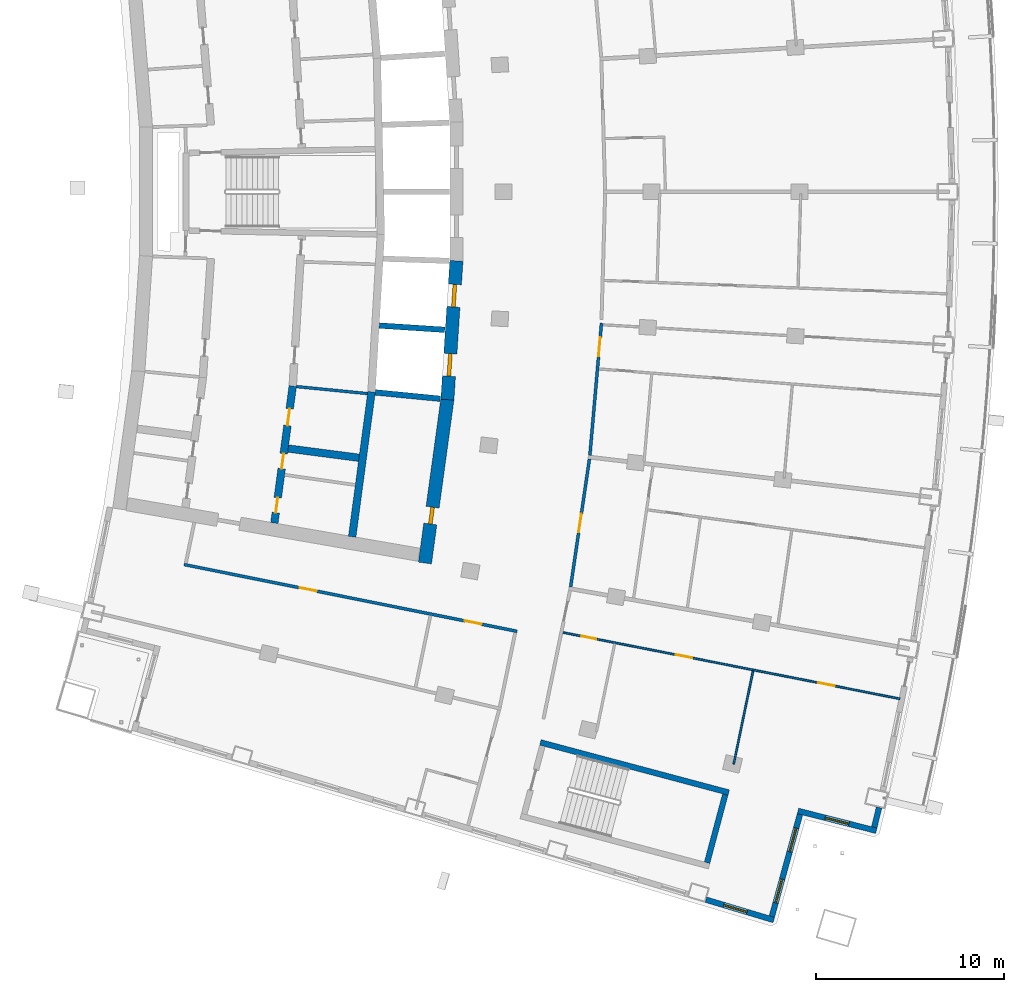
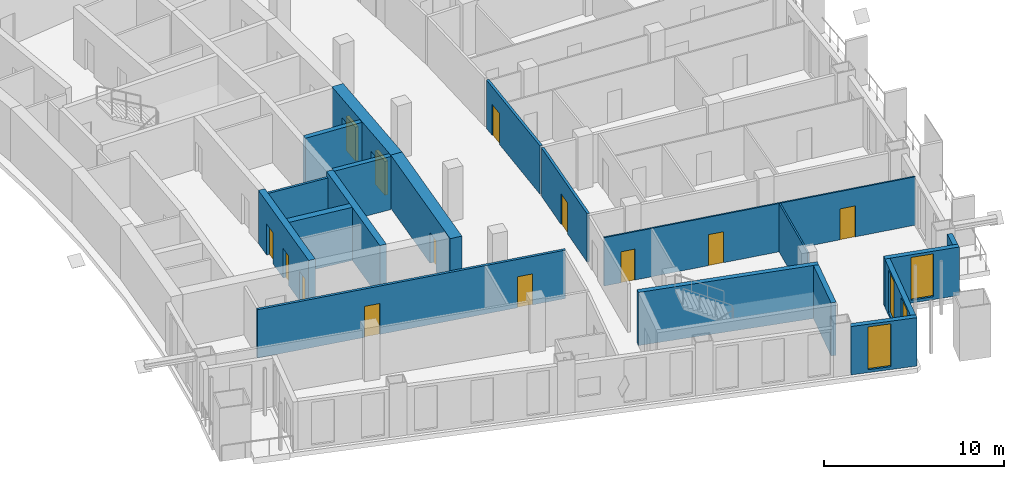
# One storey, part 11 of 20: 19 walls, 13 doors, 4 windows, 17 openings.
"""IFC4 building model written with IfcOpenShell, lengths in metres."""

from ifc_helpers import new_model, si_unit, direction, frame, frame_2d, origin, place, context, subcontext, project, spatial, rectangle, extrude, material, layer, layer_set, type_object, element, fill, save


model = new_model("IFC4")

# Units and contexts
model_context = context("Model", 3, precision=1e-05, world=origin(), true_north=direction((0.0, 1.0)))
body_context = subcontext(model_context, "Body", "Model", "MODEL_VIEW")
ifc_project = project(units=[si_unit("LENGTHUNIT", "METRE"), si_unit("AREAUNIT", "SQUARE_METRE"), si_unit("VOLUMEUNIT", "CUBIC_METRE"), si_unit("PLANEANGLEUNIT", "RADIAN"), si_unit("MASSUNIT", "GRAM", prefix="KILO")], contexts=[model_context])

# Site, building, storey
site_placement = place(None, origin())
site = spatial("IfcSite", under=ifc_project, at=site_placement, CompositionType="ELEMENT")
building_placement = place(site_placement, origin())
building = spatial("IfcBuilding", under=site, at=building_placement, Name="Alderwake Tower", CompositionType="ELEMENT")
storey_placement = place(building_placement, frame((0.0, 0.0, 167.60009765625)))
storey = spatial("IfcBuildingStorey", under=building, at=storey_placement, Name="L41", CompositionType="ELEMENT", Elevation=167.60009765625)

# Wall
ifc_material_1 = material(Name="Gypsum shaft wall system, rated")
ifc_layer_1 = layer(ifc_material_1, 0.14990234375)
ifc_layer_set_1 = layer_set([ifc_layer_1], Name="Core room partition 150")
wall_type_1 = type_object("IfcWallType", Name="Core room partition 150", PredefinedType="PARTITIONING", material=ifc_layer_set_1)
wall_1_placement = place(storey_placement, frame((24.789794921875, 50.64501953125, 0.0), z_axis=(0.0, 0.0, 1.0), x_axis=(0.995153039802, -0.098338331148, 0.0)))
element("IfcWall", 1, at=wall_1_placement, inside=storey, type_object=wall_type_1, Name="CW/L41/PR-103_+86", PredefinedType="PARTITIONING", context=body_context, shape_type="SweptSolid", body=[
    extrude(rectangle(XDim=3.7958984375, YDim=0.14990234375, at=frame_2d((1.89794921875, 0.0))), origin(), (0.0, 0.0, 1.0), 3.27978515625),
])

# Wall, opening, door
ifc_material_2 = material(Name="Concrete C70/85", Category="concrete")
ifc_layer_2 = layer(ifc_material_2, 0.699951171875)
ifc_layer_set_2 = layer_set([ifc_layer_2], Name="Core wall outer 700 C70-85")
wall_type_2 = type_object("IfcWallType", Name="Core wall outer 700 C70-85", PredefinedType="SHEAR", material=ifc_layer_set_2)
wall_2_placement = place(storey_placement, frame((32.81298828125, 49.97412109375, 0.0), z_axis=(0.0, 0.0, 1.0), x_axis=(-0.135835706655, -0.99073137671, 0.0)))
wall_2 = element("IfcWall", 2, at=wall_2_placement, inside=storey, type_object=wall_type_2, Name="Core wall CW.012", PredefinedType="SHEAR", context=body_context, shape_type="SweptSolid", body=[
    extrude(rectangle(XDim=8.790771484375, YDim=0.699951171875, at=frame_2d((4.3955078125, 0.0))), origin(), (0.0, 0.0, 1.0), 3.599853515625),
])
opening_1_placement = place(wall_2_placement, frame((5.79443359375, 0.0, 0.0)))
opening_1 = element("IfcOpeningElement", 3, at=opening_1_placement, cuts=wall_2, Name="Opening C060", PredefinedType="OPENING", context=body_context, shape_type="SweptSolid", body=[
    extrude(rectangle(XDim=0.89990234375, YDim=2.10009765625, at=frame_2d((0.449951171875, 1.050048828125))), frame((0.0, 0.35986328125, 0.0), z_axis=(0.0, -1.0, 0.0), x_axis=(1.0, 0.0, 0.0)), (0.0, 0.0, 1.0), 0.719970703125),
])
ifc_material_3 = material(Name="Painted steel leaf", Category="steel")
door_type_1 = type_object("IfcDoorType", Name="Core room door 900", OperationType="SINGLE_SWING_LEFT", PredefinedType="DOOR", material=ifc_material_3)
door_1_placement = place(opening_1_placement, origin())
door_1 = element("IfcDoor", 4, at=door_1_placement, inside=storey, type_object=door_type_1, Name="Room door", OperationType="SINGLE_SWING_RIGHT", OverallHeight=2.10009765625, OverallWidth=0.89990234375, PredefinedType="DOOR", context=body_context, shape_type="SweptSolid", body=[
    extrude(rectangle(XDim=0.89990234375, YDim=2.10009765625, at=frame_2d((0.449951171875, 1.050048828125))), frame((0.0, 0.10009765625, 0.0), z_axis=(0.0, -1.0, 0.0), x_axis=(1.0, 0.0, 0.0)), (0.0, 0.0, 1.0), 0.199951171875),
])
fill(opening_1, door_1)

# Wall, openings, doors
wall_3_placement = place(storey_placement, frame((32.810302734375, 49.9482421875, 0.0), z_axis=(0.0, 0.0, 1.0), x_axis=(0.065009096017, 0.99788467141, 0.0)))
wall_3 = element("IfcWall", 5, at=wall_3_placement, inside=storey, type_object=wall_type_2, Name="Core wall CW.011", PredefinedType="SHEAR", context=body_context, shape_type="SweptSolid", body=[
    extrude(rectangle(XDim=7.39453125, YDim=0.699951171875, at=frame_2d((3.697265625, 0.0))), origin(), (0.0, 0.0, 1.0), 3.599853515625),
])
opening_2_placement = place(wall_3_placement, frame((1.255126953125, 0.0, 0.0)))
opening_2 = element("IfcOpeningElement", 6, at=opening_2_placement, cuts=wall_3, Name="Opening LD-HP1", PredefinedType="OPENING", context=body_context, shape_type="SweptSolid", body=[
    extrude(rectangle(XDim=1.199951171875, YDim=2.300048828125, at=frame_2d((0.60009765625, 1.14990234375))), frame((0.0, 0.35986328125, 0.0), z_axis=(0.0, -1.0, 0.0), x_axis=(1.0, 0.0, 0.0)), (0.0, 0.0, 1.0), 0.719970703125),
])
opening_3_placement = place(wall_3_placement, frame((4.9404296875, 0.0, 0.0)))
opening_3 = element("IfcOpeningElement", 7, at=opening_3_placement, cuts=wall_3, Name="Opening LD-HP2", PredefinedType="OPENING", context=body_context, shape_type="SweptSolid", body=[
    extrude(rectangle(XDim=1.199951171875, YDim=2.300048828125, at=frame_2d((0.60009765625, 1.14990234375))), frame((0.0, 0.35986328125, 0.0), z_axis=(0.0, -1.0, 0.0), x_axis=(1.0, 0.0, 0.0)), (0.0, 0.0, 1.0), 0.719970703125),
])
ifc_material_4 = material(Name="Stainless steel sliding leaf", Category="steel")
door_type_2 = type_object("IfcDoorType", Name="Lift landing door 1200", OperationType="SLIDING_TO_LEFT", PredefinedType="DOOR", material=ifc_material_4)
door_2_placement = place(opening_2_placement, origin())
door_2 = element("IfcDoor", 8, at=door_2_placement, inside=storey, type_object=door_type_2, Name="Lift landing door HP1", OperationType="SLIDING_TO_LEFT", OverallHeight=2.300048828125, OverallWidth=1.199951171875, PredefinedType="DOOR", context=body_context, shape_type="SweptSolid", body=[
    extrude(rectangle(XDim=1.199951171875, YDim=2.300048828125, at=frame_2d((0.60009765625, 1.14990234375))), frame((0.0, 0.10009765625, 0.0), z_axis=(0.0, -1.0, 0.0), x_axis=(1.0, 0.0, 0.0)), (0.0, 0.0, 1.0), 0.199951171875),
])
fill(opening_2, door_2)
door_3_placement = place(opening_3_placement, origin())
door_3 = element("IfcDoor", 9, at=door_3_placement, inside=storey, type_object=door_type_2, Name="Lift landing door HP2", OperationType="SLIDING_TO_LEFT", OverallHeight=2.300048828125, OverallWidth=1.199951171875, PredefinedType="DOOR", context=body_context, shape_type="SweptSolid", body=[
    extrude(rectangle(XDim=1.199951171875, YDim=2.300048828125, at=frame_2d((0.60009765625, 1.14990234375))), frame((0.0, 0.10009765625, 0.0), z_axis=(0.0, -1.0, 0.0), x_axis=(1.0, 0.0, 0.0)), (0.0, 0.0, 1.0), 0.199951171875),
])
fill(opening_3, door_3)

# Walls
ifc_material_5 = material(Name="Concrete C70/85", Category="concrete")
ifc_layer_3 = layer(ifc_material_5, 0.300048828125)
ifc_layer_set_3 = layer_set([ifc_layer_3], Name="Core wall shaft 300 C70-85")
wall_type_3 = type_object("IfcWallType", Name="Core wall shaft 300 C70-85", PredefinedType="SHEAR", material=ifc_layer_set_3)
wall_4_placement = place(storey_placement, frame((28.9794921875, 50.336181640625, 0.0), z_axis=(0.0, 0.0, 1.0), x_axis=(0.995247396058, -0.097378748402, 0.0)))
element("IfcWall", 10, at=wall_4_placement, inside=storey, type_object=wall_type_3, Name="Core wall CW.064", PredefinedType="SHEAR", context=body_context, shape_type="SweptSolid", body=[
    extrude(rectangle(XDim=3.469970703125, YDim=0.300048828125, at=frame_2d((1.73486328125, 0.0))), origin(), (0.0, 0.0, 1.0), 3.599853515625),
])
wall_5_placement = place(storey_placement, frame((29.190185546875, 53.8896484375, 0.0), z_axis=(0.0, 0.0, 1.0), x_axis=(0.997884352206, -0.065013995596, 0.0)))
element("IfcWall", 11, at=wall_5_placement, inside=storey, type_object=wall_type_3, Name="Core wall CW.078", PredefinedType="SHEAR", context=body_context, shape_type="SweptSolid", body=[
    extrude(rectangle(XDim=3.488525390625, YDim=0.300048828125, at=frame_2d((1.744140625, 0.0))), origin(), (0.0, 0.0, 1.0), 3.599853515625),
])

# Wall, openings, doors
ifc_material_6 = material(Name="Concrete C70/85", Category="concrete")
ifc_layer_4 = layer(ifc_material_6, 0.39990234375)
ifc_layer_set_4 = layer_set([ifc_layer_4], Name="Core wall spine 400 C70-85")
wall_type_4 = type_object("IfcWallType", Name="Core wall spine 400 C70-85", PredefinedType="SHEAR", material=ifc_layer_set_4)
wall_6_placement = place(storey_placement, frame((23.6142578125, 43.390869140625, 0.0), z_axis=(0.0, 0.0, 1.0), x_axis=(0.133023466616, 0.991112888287, 0.0)))
wall_6 = element("IfcWall", 12, at=wall_6_placement, inside=storey, type_object=wall_type_4, Name="Core wall CW.047", PredefinedType="SHEAR", context=body_context, shape_type="SweptSolid", body=[
    extrude(rectangle(XDim=7.3466796875, YDim=0.39990234375, at=frame_2d((3.67333984375, 0.0))), origin(), (0.0, 0.0, 1.0), 3.599853515625),
])
opening_4_placement = place(wall_6_placement, frame((0.557861328125, 0.0, 0.0)))
opening_4 = element("IfcOpeningElement", 13, at=opening_4_placement, cuts=wall_6, Name="Opening C015", PredefinedType="OPENING", context=body_context, shape_type="SweptSolid", body=[
    extrude(rectangle(XDim=0.800048828125, YDim=2.0, at=frame_2d((0.39990234375, 1.0))), frame((0.0, 0.2099609375, 0.0), z_axis=(0.0, -1.0, 0.0), x_axis=(1.0, 0.0, 0.0)), (0.0, 0.0, 1.0), 0.419921875),
])
opening_5_placement = place(wall_6_placement, frame((2.91943359375, 0.0, 0.0)))
opening_5 = element("IfcOpeningElement", 14, at=opening_5_placement, cuts=wall_6, Name="Opening C019", PredefinedType="OPENING", context=body_context, shape_type="SweptSolid", body=[
    extrude(rectangle(XDim=0.800048828125, YDim=2.0, at=frame_2d((0.39990234375, 1.0))), frame((0.0, 0.2099609375, 0.0), z_axis=(0.0, -1.0, 0.0), x_axis=(1.0, 0.0, 0.0)), (0.0, 0.0, 1.0), 0.419921875),
])
opening_6_placement = place(wall_6_placement, frame((5.231201171875, 0.0, 0.0)))
opening_6 = element("IfcOpeningElement", 15, at=opening_6_placement, cuts=wall_6, Name="Opening C045", PredefinedType="OPENING", context=body_context, shape_type="SweptSolid", body=[
    extrude(rectangle(XDim=0.89990234375, YDim=2.10009765625, at=frame_2d((0.449951171875, 1.050048828125))), frame((0.0, 0.2099609375, 0.0), z_axis=(0.0, -1.0, 0.0), x_axis=(1.0, 0.0, 0.0)), (0.0, 0.0, 1.0), 0.419921875),
])
door_4_placement = place(opening_6_placement, origin())
door_4 = element("IfcDoor", 16, at=door_4_placement, inside=storey, type_object=door_type_1, Name="Room door", OperationType="SINGLE_SWING_LEFT", OverallHeight=2.10009765625, OverallWidth=0.89990234375, PredefinedType="DOOR", context=body_context, shape_type="SweptSolid", body=[
    extrude(rectangle(XDim=0.89990234375, YDim=2.10009765625, at=frame_2d((0.449951171875, 1.050048828125))), frame((0.0, 0.02490234375, 0.0), z_axis=(0.0, -1.0, 0.0), x_axis=(1.0, 0.0, 0.0)), (0.0, 0.0, 1.0), 0.050048828125),
])
fill(opening_6, door_4)
ifc_material_7 = material(Name="Painted steel leaf, rated", Category="steel")
door_type_3 = type_object("IfcDoorType", Name="Riser access door 800", OperationType="SINGLE_SWING_LEFT", PredefinedType="DOOR", material=ifc_material_7)
door_5_placement = place(opening_4_placement, origin())
door_5 = element("IfcDoor", 17, at=door_5_placement, inside=storey, type_object=door_type_3, Name="Riser access door", OperationType="SINGLE_SWING_LEFT", OverallHeight=2.0, OverallWidth=0.800048828125, PredefinedType="DOOR", context=body_context, shape_type="SweptSolid", body=[
    extrude(rectangle(XDim=0.800048828125, YDim=2.0, at=frame_2d((0.39990234375, 1.0))), frame((0.0, 0.02490234375, 0.0), z_axis=(0.0, -1.0, 0.0), x_axis=(1.0, 0.0, 0.0)), (0.0, 0.0, 1.0), 0.050048828125),
])
fill(opening_4, door_5)
door_6_placement = place(opening_5_placement, origin())
door_6 = element("IfcDoor", 18, at=door_6_placement, inside=storey, type_object=door_type_3, Name="Riser access door", OperationType="SINGLE_SWING_RIGHT", OverallHeight=2.0, OverallWidth=0.800048828125, PredefinedType="DOOR", context=body_context, shape_type="SweptSolid", body=[
    extrude(rectangle(XDim=0.800048828125, YDim=2.0, at=frame_2d((0.39990234375, 1.0))), frame((0.0, 0.02490234375, 0.0), z_axis=(0.0, -1.0, 0.0), x_axis=(1.0, 0.0, 0.0)), (0.0, 0.0, 1.0), 0.050048828125),
])
fill(opening_5, door_6)

# Walls
wall_7_placement = place(storey_placement, frame((27.750244140625, 42.65966796875, 0.0), z_axis=(0.0, 0.0, 1.0), x_axis=(0.132678066825, 0.991159185289, 0.0)))
element("IfcWall", 19, at=wall_7_placement, inside=storey, type_object=wall_type_4, Name="Core wall CW.006", PredefinedType="SHEAR", context=body_context, shape_type="SweptSolid", body=[
    extrude(rectangle(XDim=7.7724609375, YDim=0.39990234375, at=frame_2d((3.88623046875, 0.0))), origin(), (0.0, 0.0, 1.0), 3.599853515625),
])
wall_8_placement = place(storey_placement, frame((24.347900390625, 47.35205078125, 0.0), z_axis=(0.0, 0.0, 1.0), x_axis=(0.991552989286, -0.12970223374, 0.0)))
element("IfcWall", 20, at=wall_8_placement, inside=storey, type_object=wall_type_4, Name="Core wall CW.069", PredefinedType="SHEAR", context=body_context, shape_type="SweptSolid", body=[
    extrude(rectangle(XDim=3.794677734375, YDim=0.39990234375, at=frame_2d((1.8974609375, 0.0))), origin(), (0.0, 0.0, 1.0), 3.599853515625),
])
ifc_material_8 = material(Name="Concrete C70/85", Category="concrete")
ifc_layer_5 = layer(ifc_material_8, 0.300048828125)
ifc_layer_set_5 = layer_set([ifc_layer_5], Name="Core wall stair enclosure 300 C70-85")
wall_type_5 = type_object("IfcWallType", Name="Core wall stair enclosure 300 C70-85", PredefinedType="SHEAR", material=ifc_layer_set_5)
wall_9_placement = place(storey_placement, frame((37.75390625, 31.731201171875, 0.0), z_axis=(0.0, 0.0, 1.0), x_axis=(0.966309214305, -0.257383958996, 0.0)))
element("IfcWall", 21, at=wall_9_placement, inside=storey, type_object=wall_type_5, Name="Core wall CW.086", PredefinedType="SHEAR", context=body_context, shape_type="SweptSolid", body=[
    extrude(rectangle(XDim=10.360107421875, YDim=0.300048828125, at=frame_2d((5.18017578125, 0.0))), origin(), (0.0, 0.0, 1.0), 3.599853515625),
])
wall_10_placement = place(storey_placement, frame((46.6162109375, 25.334716796875, 0.0), z_axis=(0.0, 0.0, 1.0), x_axis=(0.257366821694, 0.966313778796, 0.0)))
element("IfcWall", 22, at=wall_10_placement, inside=storey, type_object=wall_type_5, Name="Core wall CW.085", PredefinedType="SHEAR", context=body_context, shape_type="SweptSolid", body=[
    extrude(rectangle(XDim=3.749755859375, YDim=0.300048828125, at=frame_2d((1.875, 0.0))), origin(), (0.0, 0.0, 1.0), 3.599853515625),
])

# Wall, openings, doors
ifc_material_9 = material(Name="Gypsum board on metal studs, rated")
ifc_layer_6 = layer(ifc_material_9, 0.159912109375)
ifc_layer_set_6 = layer_set([ifc_layer_6], Name="Corridor wall 160")
wall_type_6 = type_object("IfcWallType", Name="Corridor wall 160", PredefinedType="PARTITIONING", material=ifc_layer_set_6)
wall_11_placement = place(storey_placement, frame((36.513427734375, 37.63427734375, 0.0), z_axis=(0.0, 0.0, 1.0), x_axis=(-0.980470254867, 0.1966674333, 0.0)))
wall_11 = element("IfcWall", 23, at=wall_11_placement, inside=storey, type_object=wall_type_6, Name="WL/L41/W12", PredefinedType="PARTITIONING", context=body_context, shape_type="SweptSolid", body=[
    extrude(rectangle(XDim=18.053466796875, YDim=0.159912109375, at=frame_2d((9.02685546875, 0.0))), origin(), (0.0, 0.0, 1.0), 3.27978515625),
])
opening_7_placement = place(wall_11_placement, frame((10.876708984375, 0.0, 0.0)))
opening_7 = element("IfcOpeningElement", 24, at=opening_7_placement, cuts=wall_11, Name="Opening R11-SBS1", PredefinedType="OPENING", context=body_context, shape_type="SweptSolid", body=[
    extrude(rectangle(XDim=0.89990234375, YDim=2.10009765625, at=frame_2d((0.449951171875, 1.050048828125))), frame((0.0, 0.08984375, 0.0), z_axis=(0.0, -1.0, 0.0), x_axis=(1.0, 0.0, 0.0)), (0.0, 0.0, 1.0), 0.179931640625),
])
opening_8_placement = place(wall_11_placement, frame((1.9306640625, 0.0, 0.0)))
opening_8 = element("IfcOpeningElement", 25, at=opening_8_placement, cuts=wall_11, Name="Opening R11-SBS2", PredefinedType="OPENING", context=body_context, shape_type="SweptSolid", body=[
    extrude(rectangle(XDim=0.89990234375, YDim=2.10009765625, at=frame_2d((0.449951171875, 1.050048828125))), frame((0.0, 0.08984375, 0.0), z_axis=(0.0, -1.0, 0.0), x_axis=(1.0, 0.0, 0.0)), (0.0, 0.0, 1.0), 0.179931640625),
])
ifc_material_10 = material(Name="Painted timber leaf", Category="wood")
door_type_4 = type_object("IfcDoorType", Name="Room door 900", OperationType="SINGLE_SWING_LEFT", PredefinedType="DOOR", material=ifc_material_10)
door_7_placement = place(opening_7_placement, origin())
door_7 = element("IfcDoor", 26, at=door_7_placement, inside=storey, type_object=door_type_4, Name="DR/L41/SBS1", OperationType="SINGLE_SWING_LEFT", OverallHeight=2.10009765625, OverallWidth=0.89990234375, PredefinedType="DOOR", context=body_context, shape_type="SweptSolid", body=[
    extrude(rectangle(XDim=0.89990234375, YDim=2.10009765625, at=frame_2d((0.449951171875, 1.050048828125))), frame((0.0, 0.02490234375, 0.0), z_axis=(0.0, -1.0, 0.0), x_axis=(1.0, 0.0, 0.0)), (0.0, 0.0, 1.0), 0.050048828125),
])
fill(opening_7, door_7)
door_8_placement = place(opening_8_placement, origin())
door_8 = element("IfcDoor", 27, at=door_8_placement, inside=storey, type_object=door_type_4, Name="DR/L41/SBS2", OperationType="SINGLE_SWING_LEFT", OverallHeight=2.10009765625, OverallWidth=0.89990234375, PredefinedType="DOOR", context=body_context, shape_type="SweptSolid", body=[
    extrude(rectangle(XDim=0.89990234375, YDim=2.10009765625, at=frame_2d((0.449951171875, 1.050048828125))), frame((0.0, 0.02490234375, 0.0), z_axis=(0.0, -1.0, 0.0), x_axis=(1.0, 0.0, 0.0)), (0.0, 0.0, 1.0), 0.050048828125),
])
fill(opening_8, door_8)

# Wall, opening, door
wall_12_placement = place(storey_placement, frame((40.3623046875, 46.7939453125, 0.0), z_axis=(0.0, 0.0, 1.0), x_axis=(-0.1455042199, -0.989357630987, 0.0)))
wall_12 = element("IfcWall", 28, at=wall_12_placement, inside=storey, type_object=wall_type_6, Name="WL/L41/W21", PredefinedType="PARTITIONING", context=body_context, shape_type="SweptSolid", body=[
    extrude(rectangle(XDim=6.87109375, YDim=0.159912109375, at=frame_2d((3.435546875, 0.0))), origin(), (0.0, 0.0, 1.0), 3.27978515625),
])
opening_9_placement = place(wall_12_placement, frame((2.935546875, 0.0, 0.0)))
opening_9 = element("IfcOpeningElement", 29, at=opening_9_placement, cuts=wall_12, Name="Opening R11-U04.2", PredefinedType="OPENING", context=body_context, shape_type="SweptSolid", body=[
    extrude(rectangle(XDim=1.0, YDim=2.10009765625, at=frame_2d((0.5, 1.050048828125))), frame((0.0, 0.08984375, 0.0), z_axis=(0.0, -1.0, 0.0), x_axis=(1.0, 0.0, 0.0)), (0.0, 0.0, 1.0), 0.179931640625),
])
ifc_material_11 = material(Name="Solid timber leaf in steel frame", Category="steel")
door_type_5 = type_object("IfcDoorType", Name="Flat entrance door 1000 fire-rated", OperationType="SINGLE_SWING_LEFT", PredefinedType="DOOR", material=ifc_material_11)
door_9_placement = place(opening_9_placement, origin())
door_9 = element("IfcDoor", 30, at=door_9_placement, inside=storey, type_object=door_type_5, Name="DR/L41/U04.2", OperationType="SINGLE_SWING_LEFT", OverallHeight=2.10009765625, OverallWidth=1.0, PredefinedType="DOOR", context=body_context, shape_type="SweptSolid", body=[
    extrude(rectangle(XDim=1.0, YDim=2.10009765625, at=frame_2d((0.5, 1.050048828125))), frame((0.0, 0.02490234375, 0.0), z_axis=(0.0, -1.0, 0.0), x_axis=(1.0, 0.0, 0.0)), (0.0, 0.0, 1.0), 0.050048828125),
])
fill(opening_9, door_9)

wall_13_placement = place(storey_placement, frame((41.001953125, 54.013671875, 0.0), z_axis=(0.0, 0.0, 1.0), x_axis=(-0.087430787456, -0.996170596537, 0.0)))
wall_13 = element("IfcWall", 31, at=wall_13_placement, inside=storey, type_object=wall_type_6, Name="WL/L41/W23", PredefinedType="PARTITIONING", context=body_context, shape_type="SweptSolid", body=[
    extrude(rectangle(XDim=7.048095703125, YDim=0.159912109375, at=frame_2d((3.52392578125, 0.0))), origin(), (0.0, 0.0, 1.0), 3.27978515625),
])
opening_10_placement = place(wall_13_placement, frame((0.75830078125, 0.0, 0.0)))
opening_10 = element("IfcOpeningElement", 32, at=opening_10_placement, cuts=wall_13, Name="Opening R11-U05.2", PredefinedType="OPENING", context=body_context, shape_type="SweptSolid", body=[
    extrude(rectangle(XDim=1.0, YDim=2.10009765625, at=frame_2d((0.5, 1.050048828125))), frame((0.0, 0.08984375, 0.0), z_axis=(0.0, -1.0, 0.0), x_axis=(1.0, 0.0, 0.0)), (0.0, 0.0, 1.0), 0.179931640625),
])
door_10_placement = place(opening_10_placement, origin())
door_10 = element("IfcDoor", 33, at=door_10_placement, inside=storey, type_object=door_type_5, Name="DR/L41/U05.2", OperationType="SINGLE_SWING_LEFT", OverallHeight=2.10009765625, OverallWidth=1.0, PredefinedType="DOOR", context=body_context, shape_type="SweptSolid", body=[
    extrude(rectangle(XDim=1.0, YDim=2.10009765625, at=frame_2d((0.5, 1.050048828125))), frame((0.0, 0.02490234375, 0.0), z_axis=(0.0, -1.0, 0.0), x_axis=(1.0, 0.0, 0.0)), (0.0, 0.0, 1.0), 0.050048828125),
])
fill(opening_10, door_10)

# Wall
ifc_material_12 = material(Name="Precast concrete C50/60 spandrel panel", Category="concrete")
ifc_layer_7 = layer(ifc_material_12, 0.300048828125)
ifc_layer_set_7 = layer_set([ifc_layer_7], Name="External wall EW1 Precast concrete C50/60 spandrel")
wall_type_7 = type_object("IfcWallType", Name="External wall EW1 Precast concrete C50/60 spandrel", PredefinedType="SOLIDWALL", material=ifc_layer_set_7)
wall_14_placement = place(storey_placement, frame((55.49951171875, 27.217529296875, 0.0), z_axis=(0.0, 0.0, 1.0), x_axis=(0.238334101451, 0.971183224776, 0.0)))
element("IfcWall", 34, at=wall_14_placement, inside=storey, type_object=wall_type_7, Name="External wall 11", PredefinedType="SOLIDWALL", context=body_context, shape_type="SweptSolid", body=[
    extrude(rectangle(XDim=1.080810546875, YDim=0.300048828125, at=frame_2d((0.54052734375, 0.0))), origin(), (0.0, 0.0, 1.0), 3.27978515625),
])

# Wall, opening, window
ifc_material_13 = material(Name="Bronze metal cladding on lightweight framing")
ifc_layer_8 = layer(ifc_material_13, 0.300048828125)
ifc_layer_set_8 = layer_set([ifc_layer_8], Name="External wall EW2 bronze metal cladding")
wall_type_8 = type_object("IfcWallType", Name="External wall EW2 bronze metal cladding", PredefinedType="SOLIDWALL", material=ifc_layer_set_8)
wall_15_placement = place(storey_placement, frame((46.55810546875, 23.369140625, 0.0), z_axis=(0.0, 0.0, 1.0), x_axis=(0.957765550003, -0.287550258611, 0.0)))
wall_15 = element("IfcWall", 35, at=wall_15_placement, inside=storey, type_object=wall_type_8, Name="External wall 8", PredefinedType="SOLIDWALL", context=body_context, shape_type="SweptSolid", body=[
    extrude(rectangle(XDim=3.762939453125, YDim=0.300048828125, at=frame_2d((1.88134765625, 0.0))), origin(), (0.0, 0.0, 1.0), 3.27978515625),
])
opening_11_placement = place(wall_15_placement, frame((0.98046875, 0.0, 0.199951171875)))
opening_11 = element("IfcOpeningElement", 36, at=opening_11_placement, cuts=wall_15, Name="Opening W1", PredefinedType="OPENING", context=body_context, shape_type="SweptSolid", body=[
    extrude(rectangle(XDim=1.300048828125, YDim=2.89990234375, at=frame_2d((0.64990234375, 1.449951171875))), frame((0.0, 0.159912109375, 0.0), z_axis=(0.0, -1.0, 0.0), x_axis=(1.0, 0.0, 0.0)), (0.0, 0.0, 1.0), 0.320068359375),
])
ifc_material_14 = material(Name="Bronze tinted glass in aluminium frame", Category="aluminium")
window_type = type_object("IfcWindowType", Name="Window W1 tall fixed and vent", PartitioningType="DOUBLE_PANEL_VERTICAL", PredefinedType="WINDOW", material=ifc_material_14)
window_1_placement = place(opening_11_placement, origin())
window_1 = element("IfcWindow", 37, at=window_1_placement, inside=storey, type_object=window_type, Name="Window W1 tall fixed and vent", OverallHeight=2.89990234375, OverallWidth=1.300048828125, PartitioningType="DOUBLE_PANEL_VERTICAL", PredefinedType="WINDOW", context=body_context, shape_type="SweptSolid", body=[
    extrude(rectangle(XDim=1.300048828125, YDim=2.89990234375, at=frame_2d((0.64990234375, 1.449951171875))), frame((0.0, 0.030029296875, 0.0), z_axis=(0.0, -1.0, 0.0), x_axis=(1.0, 0.0, 0.0)), (0.0, 0.0, 1.0), 0.06005859375),
])
fill(opening_11, window_1)

# Wall, openings, windows
wall_16_placement = place(storey_placement, frame((50.05810546875, 22.474853515625, 0.0), z_axis=(0.0, 0.0, 1.0), x_axis=(0.2651041118, 0.96421979336, 0.0)))
wall_16 = element("IfcWall", 38, at=wall_16_placement, inside=storey, type_object=wall_type_8, Name="External wall 9", PredefinedType="SOLIDWALL", context=body_context, shape_type="SweptSolid", body=[
    extrude(rectangle(XDim=5.63427734375, YDim=0.300048828125, at=frame_2d((2.817138671875, 0.0))), origin(), (0.0, 0.0, 1.0), 3.27978515625),
])
opening_12_placement = place(wall_16_placement, frame((0.758544921875, 0.0, 0.199951171875)))
opening_12 = element("IfcOpeningElement", 39, at=opening_12_placement, cuts=wall_16, Name="Opening W1", PredefinedType="OPENING", context=body_context, shape_type="SweptSolid", body=[
    extrude(rectangle(XDim=1.300048828125, YDim=2.89990234375, at=frame_2d((0.64990234375, 1.449951171875))), frame((0.0, 0.159912109375, 0.0), z_axis=(0.0, -1.0, 0.0), x_axis=(1.0, 0.0, 0.0)), (0.0, 0.0, 1.0), 0.320068359375),
])
opening_13_placement = place(wall_16_placement, frame((3.57568359375, 0.0, 0.199951171875)))
opening_13 = element("IfcOpeningElement", 40, at=opening_13_placement, cuts=wall_16, Name="Opening W1", PredefinedType="OPENING", context=body_context, shape_type="SweptSolid", body=[
    extrude(rectangle(XDim=1.300048828125, YDim=2.89990234375, at=frame_2d((0.64990234375, 1.449951171875))), frame((0.0, 0.159912109375, 0.0), z_axis=(0.0, -1.0, 0.0), x_axis=(1.0, 0.0, 0.0)), (0.0, 0.0, 1.0), 0.320068359375),
])
window_2_placement = place(opening_12_placement, origin())
window_2 = element("IfcWindow", 41, at=window_2_placement, inside=storey, type_object=window_type, Name="Window W1 tall fixed and vent", OverallHeight=2.89990234375, OverallWidth=1.300048828125, PartitioningType="DOUBLE_PANEL_VERTICAL", PredefinedType="WINDOW", context=body_context, shape_type="SweptSolid", body=[
    extrude(rectangle(XDim=1.300048828125, YDim=2.89990234375, at=frame_2d((0.64990234375, 1.449951171875))), frame((0.0, 0.030029296875, 0.0), z_axis=(0.0, -1.0, 0.0), x_axis=(1.0, 0.0, 0.0)), (0.0, 0.0, 1.0), 0.06005859375),
])
fill(opening_12, window_2)
window_3_placement = place(opening_13_placement, origin())
window_3 = element("IfcWindow", 42, at=window_3_placement, inside=storey, type_object=window_type, Name="Window W1 tall fixed and vent", OverallHeight=2.89990234375, OverallWidth=1.300048828125, PartitioningType="DOUBLE_PANEL_VERTICAL", PredefinedType="WINDOW", context=body_context, shape_type="SweptSolid", body=[
    extrude(rectangle(XDim=1.300048828125, YDim=2.89990234375, at=frame_2d((0.64990234375, 1.449951171875))), frame((0.0, 0.030029296875, 0.0), z_axis=(0.0, -1.0, 0.0), x_axis=(1.0, 0.0, 0.0)), (0.0, 0.0, 1.0), 0.06005859375),
])
fill(opening_13, window_3)

# Wall, opening, window
wall_17_placement = place(storey_placement, frame((51.4462890625, 28.0888671875, 0.0), z_axis=(0.0, 0.0, 1.0), x_axis=(0.969425962264, -0.245383992325, 0.0)))
wall_17 = element("IfcWall", 43, at=wall_17_placement, inside=storey, type_object=wall_type_8, Name="External wall 10", PredefinedType="SOLIDWALL", context=body_context, shape_type="SweptSolid", body=[
    extrude(rectangle(XDim=4.294189453125, YDim=0.300048828125, at=frame_2d((2.14697265625, 0.0))), origin(), (0.0, 0.0, 1.0), 3.27978515625),
])
opening_14_placement = place(wall_17_placement, frame((1.4970703125, 0.0, 0.199951171875)))
opening_14 = element("IfcOpeningElement", 44, at=opening_14_placement, cuts=wall_17, Name="Opening W1", PredefinedType="OPENING", context=body_context, shape_type="SweptSolid", body=[
    extrude(rectangle(XDim=1.300048828125, YDim=2.89990234375, at=frame_2d((0.64990234375, 1.449951171875))), frame((0.0, 0.159912109375, 0.0), z_axis=(0.0, -1.0, 0.0), x_axis=(1.0, 0.0, 0.0)), (0.0, 0.0, 1.0), 0.320068359375),
])
window_4_placement = place(opening_14_placement, origin())
window_4 = element("IfcWindow", 45, at=window_4_placement, inside=storey, type_object=window_type, Name="Window W1 tall fixed and vent", OverallHeight=2.89990234375, OverallWidth=1.300048828125, PartitioningType="DOUBLE_PANEL_VERTICAL", PredefinedType="WINDOW", context=body_context, shape_type="SweptSolid", body=[
    extrude(rectangle(XDim=1.300048828125, YDim=2.89990234375, at=frame_2d((0.64990234375, 1.449951171875))), frame((0.0, 0.030029296875, 0.0), z_axis=(0.0, -1.0, 0.0), x_axis=(1.0, 0.0, 0.0)), (0.0, 0.0, 1.0), 0.06005859375),
])
fill(opening_14, window_4)

# Wall, openings, doors
ifc_material_15 = material(Name="Gypsum board on metal studs")
ifc_layer_9 = layer(ifc_material_15, 0.10009765625)
ifc_layer_set_9 = layer_set([ifc_layer_9], Name="Unit partition 100")
wall_type_9 = type_object("IfcWallType", Name="Unit partition 100", PredefinedType="PARTITIONING", material=ifc_layer_set_9)
wall_18_placement = place(storey_placement, frame((56.867919921875, 34.047119140625, 0.0), z_axis=(0.0, 0.0, 1.0), x_axis=(-0.981169544474, 0.19314845326, 0.0)))
wall_18 = element("IfcWall", 46, at=wall_18_placement, inside=storey, type_object=wall_type_9, Name="WL/L41/W43", PredefinedType="PARTITIONING", context=body_context, shape_type="SweptSolid", body=[
    extrude(rectangle(XDim=18.262451171875, YDim=0.10009765625, at=frame_2d((9.13134765625, 0.0))), origin(), (0.0, 0.0, 1.0), 3.27978515625),
])
opening_15_placement = place(wall_18_placement, frame((11.246826171875, 0.0, 0.0)))
opening_15 = element("IfcOpeningElement", 47, at=opening_15_placement, cuts=wall_18, Name="Opening R11-U03.1", PredefinedType="OPENING", context=body_context, shape_type="SweptSolid", body=[
    extrude(rectangle(XDim=0.89990234375, YDim=2.10009765625, at=frame_2d((0.449951171875, 1.050048828125))), frame((0.0, 0.06005859375, 0.0), z_axis=(0.0, -1.0, 0.0), x_axis=(1.0, 0.0, 0.0)), (0.0, 0.0, 1.0), 0.1201171875),
])
opening_16_placement = place(wall_18_placement, frame((16.452880859375, 0.0, 0.0)))
opening_16 = element("IfcOpeningElement", 48, at=opening_16_placement, cuts=wall_18, Name="Opening R11-U03.3", PredefinedType="OPENING", context=body_context, shape_type="SweptSolid", body=[
    extrude(rectangle(XDim=0.800048828125, YDim=2.10009765625, at=frame_2d((0.39990234375, 1.050048828125))), frame((0.0, 0.06005859375, 0.0), z_axis=(0.0, -1.0, 0.0), x_axis=(1.0, 0.0, 0.0)), (0.0, 0.0, 1.0), 0.1201171875),
])
opening_17_placement = place(wall_18_placement, frame((3.52490234375, 0.0, 0.0)))
opening_17 = element("IfcOpeningElement", 49, at=opening_17_placement, cuts=wall_18, Name="Opening R11-U03.4", PredefinedType="OPENING", context=body_context, shape_type="SweptSolid", body=[
    extrude(rectangle(XDim=0.89990234375, YDim=2.10009765625, at=frame_2d((0.449951171875, 1.050048828125))), frame((0.0, 0.06005859375, 0.0), z_axis=(0.0, -1.0, 0.0), x_axis=(1.0, 0.0, 0.0)), (0.0, 0.0, 1.0), 0.1201171875),
])
ifc_material_16 = material(Name="Painted timber leaf", Category="wood")
door_type_6 = type_object("IfcDoorType", Name="Bathroom door 800", OperationType="SINGLE_SWING_LEFT", PredefinedType="DOOR", material=ifc_material_16)
door_11_placement = place(opening_16_placement, origin())
door_11 = element("IfcDoor", 50, at=door_11_placement, inside=storey, type_object=door_type_6, Name="DR/L41/U03.3", OperationType="SINGLE_SWING_LEFT", OverallHeight=2.10009765625, OverallWidth=0.800048828125, PredefinedType="DOOR", context=body_context, shape_type="SweptSolid", body=[
    extrude(rectangle(XDim=0.800048828125, YDim=2.10009765625, at=frame_2d((0.39990234375, 1.050048828125))), frame((0.0, 0.02490234375, 0.0), z_axis=(0.0, -1.0, 0.0), x_axis=(1.0, 0.0, 0.0)), (0.0, 0.0, 1.0), 0.050048828125),
])
fill(opening_16, door_11)
door_12_placement = place(opening_15_placement, origin())
door_12 = element("IfcDoor", 51, at=door_12_placement, inside=storey, type_object=door_type_4, Name="DR/L41/U03.1", OperationType="SINGLE_SWING_LEFT", OverallHeight=2.10009765625, OverallWidth=0.89990234375, PredefinedType="DOOR", context=body_context, shape_type="SweptSolid", body=[
    extrude(rectangle(XDim=0.89990234375, YDim=2.10009765625, at=frame_2d((0.449951171875, 1.050048828125))), frame((0.0, 0.02490234375, 0.0), z_axis=(0.0, -1.0, 0.0), x_axis=(1.0, 0.0, 0.0)), (0.0, 0.0, 1.0), 0.050048828125),
])
fill(opening_15, door_12)
door_13_placement = place(opening_17_placement, origin())
door_13 = element("IfcDoor", 52, at=door_13_placement, inside=storey, type_object=door_type_4, Name="DR/L41/U03.4", OperationType="SINGLE_SWING_LEFT", OverallHeight=2.10009765625, OverallWidth=0.89990234375, PredefinedType="DOOR", context=body_context, shape_type="SweptSolid", body=[
    extrude(rectangle(XDim=0.89990234375, YDim=2.10009765625, at=frame_2d((0.449951171875, 1.050048828125))), frame((0.0, 0.02490234375, 0.0), z_axis=(0.0, -1.0, 0.0), x_axis=(1.0, 0.0, 0.0)), (0.0, 0.0, 1.0), 0.050048828125),
])
fill(opening_17, door_13)

# Wall
wall_19_placement = place(storey_placement, frame((48.030029296875, 30.572998046875, 0.0), z_axis=(0.0, 0.0, 1.0), x_axis=(0.202876488764, 0.979204335319, 0.0)))
element("IfcWall", 53, at=wall_19_placement, inside=storey, type_object=wall_type_9, Name="WL/L41/W49", PredefinedType="PARTITIONING", context=body_context, shape_type="SweptSolid", body=[
    extrude(rectangle(XDim=5.06640625, YDim=0.10009765625, at=frame_2d((2.533203125, 0.0))), origin(), (0.0, 0.0, 1.0), 3.27978515625),
])

save(model, "model.ifc")
